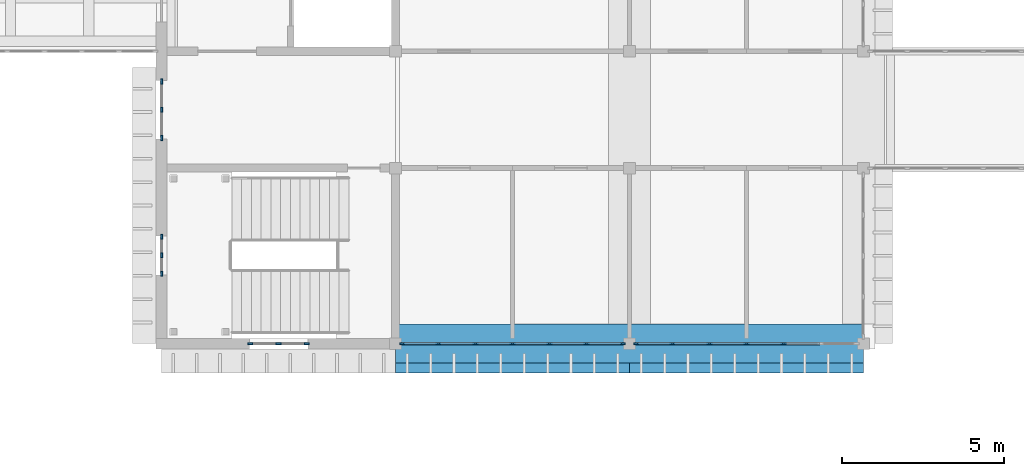
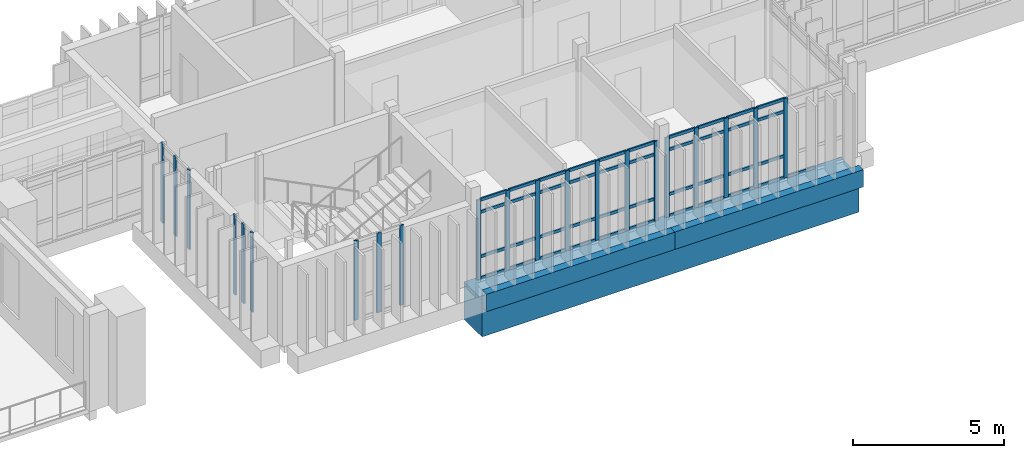
# One storey, part 11 of 69: 64 members, 1 beam, 5 elements without a shape of their own.
"""IFC4 building model written with IfcOpenShell, lengths in metres."""

import ifcopenshell
import ifcopenshell.guid

model = None  # the IFC model being written
_history = None  # IfcOwnerHistory: only IFC2X3 demands one
_inside = {}  # id of a spatial element -> (the spatial element, [elements in it])
_under = {}  # id of a project, library or spatial element -> (it, [spatial elements below it])
_declared = {}  # id of a project -> (the project, [libraries it declares])
_typed = {}  # id of a type object -> (the type object, [elements of that type])
_made_of = {}  # id of a material, layer set ... -> (it, [elements and type objects made of it])


def new_model(schema):
    """Start an empty IFC model of exactly this schema.

    Asked for "IFC4X3", IfcOpenShell would pick the latest addendum, in which some entities
    have other attributes; the version numbers below select the first issue.
    IFC2X3 requires an IfcOwnerHistory on every rooted entity: one is made here for all.
    """
    global model, _history
    if schema == "IFC4X3":
        model = ifcopenshell.file(schema_version=(4, 3, 0, 0))
    else:
        model = ifcopenshell.file(schema=schema)
    _inside.clear()
    _under.clear()
    _declared.clear()
    _typed.clear()
    _made_of.clear()
    _history = None
    if model.schema == "IFC2X3":
        org = make("IfcOrganization", Name="unknown")
        user = make(
            "IfcPersonAndOrganization",
            ThePerson=make("IfcPerson", FamilyName="unknown"),
            TheOrganization=org,
        )
        app = make(
            "IfcApplication",
            ApplicationDeveloper=org,
            Version="unknown",
            ApplicationFullName="unknown",
            ApplicationIdentifier="unknown",
        )
        _history = make(
            "IfcOwnerHistory",
            OwningUser=user,
            OwningApplication=app,
            ChangeAction="ADDED",
            CreationDate=0,
        )
    return model


def make(cls, **values):
    """One entity of the class cls with the attributes given. An attribute that is None is left unset."""
    return model.create_entity(
        cls, **{name: value for name, value in values.items() if value is not None}
    )


def rooted(cls, **values):
    """An entity with a GlobalId (a new one), such as an element, a storey or a relation."""
    return make(cls, GlobalId=ifcopenshell.guid.new(), OwnerHistory=_history, **values)


def si_unit(unit_type, name, prefix=None):
    """IfcSIUnit, for example si_unit("LENGTHUNIT", "METRE", prefix="MILLI")."""
    return make("IfcSIUnit", UnitType=unit_type, Prefix=prefix, Name=name)


def assignment(units):
    """IfcUnitAssignment: the units of a project."""
    return None if units is None else make("IfcUnitAssignment", Units=units)


def point(xyz):
    """IfcCartesianPoint."""
    return None if xyz is None else make("IfcCartesianPoint", Coordinates=xyz)


def direction(xyz):
    """IfcDirection."""
    return None if xyz is None else make("IfcDirection", DirectionRatios=xyz)


def frame(location, z_axis=None, x_axis=None):
    """IfcAxis2Placement3D, a coordinate frame: its origin and axes. An axis left out is left unset."""
    return make(
        "IfcAxis2Placement3D",
        Location=point(location),
        Axis=direction(z_axis),
        RefDirection=direction(x_axis),
    )


def frame_2d(location, x_axis=None):
    """IfcAxis2Placement2D, a coordinate frame in the plane: its origin and x axis."""
    return make(
        "IfcAxis2Placement2D", Location=point(location), RefDirection=direction(x_axis)
    )


def origin():
    """The frame at (0, 0, 0) with its axes left unset."""
    return frame((0.0, 0.0, 0.0))


def origin_2d():
    """The frame at (0, 0) in the plane with its x axis left unset."""
    return frame_2d((0.0, 0.0))


def place(relative_to, where):
    """IfcLocalPlacement: puts the frame where relative to a parent placement (None: the world)."""
    return make(
        "IfcLocalPlacement", PlacementRelTo=relative_to, RelativePlacement=where
    )


def context(
    kind, dimensions, precision=None, world=None, true_north=None, identifier=None
):
    """IfcGeometricRepresentationContext, for example the 3D "Model" context."""
    return make(
        "IfcGeometricRepresentationContext",
        ContextIdentifier=identifier,
        ContextType=kind,
        CoordinateSpaceDimension=dimensions,
        Precision=precision,
        WorldCoordinateSystem=world,
        TrueNorth=true_north,
    )


def subcontext(parent, identifier, kind, view, scale=None):
    """IfcGeometricRepresentationSubContext, for example "Body" below "Model"."""
    return make(
        "IfcGeometricRepresentationSubContext",
        ContextIdentifier=identifier,
        ContextType=kind,
        ParentContext=parent,
        TargetScale=scale,
        TargetView=view,
    )


def project(units=None, contexts=None):
    """IfcProject with its units and contexts."""
    return rooted(
        "IfcProject",
        Name="project",
        RepresentationContexts=contexts,
        UnitsInContext=assignment(units),
    )


def spatial(cls, under=None, at=None, **own):
    """A site, building, storey or space (cls), placed at a placement, below another one or the project."""
    s = rooted(cls, ObjectPlacement=at, **own)
    if under is not None:
        _under.setdefault(under.id(), (under, []))[1].append(s)
    return s


def profile(cls, at=None, kind="AREA", **sizes):
    """A parametric profile (cls). Its sizes go by their IFC names, for example OverallWidth=200.0."""
    return make(cls, ProfileType=kind, Position=at, **sizes)


def rectangle(**sizes):
    """IfcRectangleProfileDef."""
    return profile("IfcRectangleProfileDef", **sizes)


def extrude(swept, where, along, depth):
    """IfcExtrudedAreaSolid: the profile swept, set in the frame where, extruded along a direction by depth."""
    return make(
        "IfcExtrudedAreaSolid",
        SweptArea=swept,
        Position=where,
        ExtrudedDirection=direction(along),
        Depth=depth,
    )


def shape(context_of_items, identifier, shape_type, items):
    """IfcShapeRepresentation: the items that make up one representation, for example the "Body"."""
    return make(
        "IfcShapeRepresentation",
        ContextOfItems=context_of_items,
        RepresentationIdentifier=identifier,
        RepresentationType=shape_type,
        Items=items,
    )


def material(Name=None, Category=None):
    """IfcMaterial."""
    return make("IfcMaterial", Name=Name, Category=Category)


def layer(
    of_material, thickness, ventilated=None, Name=None, Category=None, Priority=None
):
    """IfcMaterialLayer: one layer of a wall or slab, of a material (None: an air gap)."""
    return make(
        "IfcMaterialLayer",
        Material=of_material,
        LayerThickness=thickness,
        IsVentilated=ventilated,
        Name=Name,
        Category=Category,
        Priority=Priority,
    )


def layer_set(layers, Name=None):
    """IfcMaterialLayerSet."""
    return make("IfcMaterialLayerSet", MaterialLayers=layers, LayerSetName=Name)


def material_profile(
    of_material, cross_section, Name=None, Category=None, Priority=None
):
    """IfcMaterialProfile: a cross section and its material."""
    return make(
        "IfcMaterialProfile",
        Name=Name,
        Material=of_material,
        Profile=cross_section,
        Priority=Priority,
        Category=Category,
    )


def profile_set(profiles, Name=None, composite=None):
    """IfcMaterialProfileSet."""
    return make(
        "IfcMaterialProfileSet",
        Name=Name,
        MaterialProfiles=profiles,
        CompositeProfile=composite,
    )


def made_of(thing, what):
    """Note that an element or type object is made of a material, layer set ...; save() writes the relation."""
    if what is not None:
        _made_of.setdefault(what.id(), (what, []))[1].append(thing)
    return thing


def type_object(cls, material=None, **own):
    """A type object (cls), such as IfcWallType, which elements share."""
    return made_of(rooted(cls, **own), material)


def element(
    cls,
    number,
    at=None,
    inside=None,
    cuts=None,
    type_object=None,
    material=None,
    context=None,
    identifier="Body",
    shape_type=None,
    held_by="IfcProductDefinitionShape",
    body=None,
    shapes=None,
    **own,
):
    """One element of the class cls, such as IfcWall. Its Tag is "e" and its number.

    at: its placement. inside: the storey or other place that contains it. cuts: it is an
    opening in that element (IfcRelVoidsElement). A single representation is given by context,
    identifier, shape_type and body (its items); several are given by shapes. held_by: the class
    of the entity that holds the representations. save() writes the other relations.
    """
    e = rooted(cls, Tag="e%d" % number, ObjectPlacement=at, **own)
    if body is not None:
        shapes = [shape(context, identifier, shape_type, body)]
    if shapes is not None:
        e.Representation = make(held_by, Representations=shapes)
    if inside is not None:
        _inside.setdefault(inside.id(), (inside, []))[1].append(e)
    if cuts is not None:
        rooted(
            "IfcRelVoidsElement", RelatingBuildingElement=cuts, RelatedOpeningElement=e
        )
    if type_object is not None:
        _typed.setdefault(type_object.id(), (type_object, []))[1].append(e)
    return made_of(e, material)


def aggregate(whole, parts):
    """IfcRelAggregates: a whole, such as a stair, and the parts it consists of."""
    return rooted("IfcRelAggregates", RelatingObject=whole, RelatedObjects=parts)


def save(model, path):
    """Write the relations noted so far, then the file.

    IfcRelAggregates (storeys below a building ...), IfcRelContainedInSpatialStructure (elements
    in a storey), IfcRelDefinesByType, IfcRelAssociatesMaterial and IfcRelDeclares: one each for
    every whole, place, type object, material and project.
    """
    for whole, parts in _under.values():
        aggregate(whole, parts)
    for where, things in _inside.values():
        rooted(
            "IfcRelContainedInSpatialStructure",
            RelatedElements=things,
            RelatingStructure=where,
        )
    for kind, things in _typed.values():
        rooted("IfcRelDefinesByType", RelatedObjects=things, RelatingType=kind)
    for what, things in _made_of.values():
        rooted("IfcRelAssociatesMaterial", RelatedObjects=things, RelatingMaterial=what)
    for by, libraries in _declared.values():
        rooted("IfcRelDeclares", RelatingContext=by, RelatedDefinitions=libraries)
    model.write(path)


model = new_model("IFC4")

# Units and contexts
model_context = context("Model", 3, precision=1e-05, world=origin(), true_north=direction((0.0, 1.0)))
body_context = subcontext(model_context, "Body", "Model", "MODEL_VIEW")
ifc_project = project(units=[si_unit("LENGTHUNIT", "METRE"), si_unit("AREAUNIT", "SQUARE_METRE"), si_unit("VOLUMEUNIT", "CUBIC_METRE"), si_unit("PLANEANGLEUNIT", "RADIAN"), si_unit("MASSUNIT", "GRAM", prefix="KILO")], contexts=[model_context])

# Site, building, storey
site_placement = place(None, origin())
site = spatial("IfcSite", under=ifc_project, at=site_placement, CompositionType="ELEMENT")
building_placement = place(site_placement, origin())
building = spatial("IfcBuilding", under=site, at=building_placement, Name="Mazhai Court Health Centre", CompositionType="ELEMENT")
storey_placement = place(building_placement, frame((0.0, 0.0, 6.300048828125)))
storey = spatial("IfcBuildingStorey", under=building, at=storey_placement, Name="L01", CompositionType="ELEMENT", Elevation=6.300048828125)

# Curtain wall, members
ifc_material_1 = material(Name="Teak timber frame, glazed", Category="wood")
ifc_layer_1 = layer(ifc_material_1, 0.10009765625)
ifc_layer_set_1 = layer_set([ifc_layer_1], Name="CURTAIN WALL TIMBER 900")
curtain_wall_type_1 = type_object("IfcCurtainWallType", Name="CURTAIN WALL TIMBER 900", PredefinedType="NOTDEFINED", material=ifc_layer_set_1)
curtain_wall_1_placement = place(storey_placement, origin())
curtain_wall_1 = element("IfcCurtainWall", 1, at=curtain_wall_1_placement, inside=storey, type_object=curtain_wall_type_1, Name="CW-V4-L01-A0", PredefinedType="NOTDEFINED")
ifc_material_2 = material(Name="Teak timber", Category="wood")
ifc_material_profile_1 = material_profile(ifc_material_2, rectangle(XDim=0.06005859375, YDim=0.159912109375, at=origin_2d()), Name="CW MULLION 60x160")
ifc_profile_set_1 = profile_set([ifc_material_profile_1], Name="Teak timber")
member_type_1 = type_object("IfcMemberType", Name="CW MULLION 60x160", PredefinedType="MULLION", material=ifc_profile_set_1)
member_1_placement = place(storey_placement, frame((75.469970703125, 13.39990234375, 0.0), z_axis=(0.0, 0.0, 1.0), x_axis=(0.0, -1.0, 0.0)))
member_1 = element("IfcMember", 2, at=member_1_placement, type_object=member_type_1, Name="CW mullion 1", PredefinedType="MULLION", context=body_context, shape_type="SweptSolid", body=[
    extrude(rectangle(XDim=0.06005859375, YDim=0.159912109375, at=origin_2d()), origin(), (0.0, 0.0, 1.0), 3.219970703125),
])
member_2_placement = place(storey_placement, frame((74.60009765625, 13.39990234375, 0.0), z_axis=(0.0, 0.0, 1.0), x_axis=(0.0, -1.0, 0.0)))
member_2 = element("IfcMember", 3, at=member_2_placement, type_object=member_type_1, Name="CW mullion 2", PredefinedType="MULLION", context=body_context, shape_type="SweptSolid", body=[
    extrude(rectangle(XDim=0.06005859375, YDim=0.159912109375, at=origin_2d()), origin(), (0.0, 0.0, 1.0), 3.219970703125),
])
member_3_placement = place(storey_placement, frame((73.72998046875, 13.39990234375, 0.0), z_axis=(0.0, 0.0, 1.0), x_axis=(0.0, -1.0, 0.0)))
member_3 = element("IfcMember", 4, at=member_3_placement, type_object=member_type_1, Name="CW mullion 3", PredefinedType="MULLION", context=body_context, shape_type="SweptSolid", body=[
    extrude(rectangle(XDim=0.06005859375, YDim=0.159912109375, at=origin_2d()), origin(), (0.0, 0.0, 1.0), 3.219970703125),
])
aggregate(curtain_wall_1, [member_1, member_2, member_3])

ifc_material_3 = material(Name="Teak timber frame, glazed", Category="wood")
ifc_layer_2 = layer(ifc_material_3, 0.10009765625)
ifc_layer_set_2 = layer_set([ifc_layer_2], Name="CURTAIN WALL TIMBER 600")
curtain_wall_type_2 = type_object("IfcCurtainWallType", Name="CURTAIN WALL TIMBER 600", PredefinedType="NOTDEFINED", material=ifc_layer_set_2)
curtain_wall_2_placement = place(storey_placement, origin())
curtain_wall_2 = element("IfcCurtainWall", 5, at=curtain_wall_2_placement, inside=storey, type_object=curtain_wall_type_2, Name="CW-V4-L01-SSTAIR0", PredefinedType="NOTDEFINED")
member_4_placement = place(storey_placement, frame((71.0, 15.550048828125, 0.0), z_axis=(0.0, 0.0, 1.0), x_axis=(-1.0, 0.0, 0.0)))
member_4 = element("IfcMember", 6, at=member_4_placement, type_object=member_type_1, Name="CW mullion 1", PredefinedType="MULLION", context=body_context, shape_type="SweptSolid", body=[
    extrude(rectangle(XDim=0.06005859375, YDim=0.159912109375, at=origin_2d()), origin(), (0.0, 0.0, 1.0), 3.199951171875),
])
member_5_placement = place(storey_placement, frame((71.0, 16.1201171875, 0.0), z_axis=(0.0, 0.0, 1.0), x_axis=(-1.0, 0.0, 0.0)))
member_5 = element("IfcMember", 7, at=member_5_placement, type_object=member_type_1, Name="CW mullion 2", PredefinedType="MULLION", context=body_context, shape_type="SweptSolid", body=[
    extrude(rectangle(XDim=0.06005859375, YDim=0.159912109375, at=origin_2d()), origin(), (0.0, 0.0, 1.0), 3.199951171875),
])
member_6_placement = place(storey_placement, frame((71.0, 16.68994140625, 0.0), z_axis=(0.0, 0.0, 1.0), x_axis=(-1.0, 0.0, 0.0)))
member_6 = element("IfcMember", 8, at=member_6_placement, type_object=member_type_1, Name="CW mullion 3", PredefinedType="MULLION", context=body_context, shape_type="SweptSolid", body=[
    extrude(rectangle(XDim=0.06005859375, YDim=0.159912109375, at=origin_2d()), origin(), (0.0, 0.0, 1.0), 3.199951171875),
])
aggregate(curtain_wall_2, [member_4, member_5, member_6])

curtain_wall_3_placement = place(storey_placement, origin())
curtain_wall_3 = element("IfcCurtainWall", 9, at=curtain_wall_3_placement, inside=storey, type_object=curtain_wall_type_1, Name="CW-V4-L01-SLIFT1", PredefinedType="NOTDEFINED")
member_7_placement = place(storey_placement, frame((71.0, 19.72998046875, 0.0), z_axis=(0.0, 0.0, 1.0), x_axis=(-1.0, 0.0, 0.0)))
member_7 = element("IfcMember", 10, at=member_7_placement, type_object=member_type_1, Name="CW mullion 1", PredefinedType="MULLION", context=body_context, shape_type="SweptSolid", body=[
    extrude(rectangle(XDim=0.06005859375, YDim=0.159912109375, at=origin_2d()), origin(), (0.0, 0.0, 1.0), 3.199951171875),
])
member_8_placement = place(storey_placement, frame((71.0, 20.60009765625, 0.0), z_axis=(0.0, 0.0, 1.0), x_axis=(-1.0, 0.0, 0.0)))
member_8 = element("IfcMember", 11, at=member_8_placement, type_object=member_type_1, Name="CW mullion 2", PredefinedType="MULLION", context=body_context, shape_type="SweptSolid", body=[
    extrude(rectangle(XDim=0.06005859375, YDim=0.159912109375, at=origin_2d()), origin(), (0.0, 0.0, 1.0), 3.199951171875),
])
member_9_placement = place(storey_placement, frame((71.0, 21.469970703125, 0.0), z_axis=(0.0, 0.0, 1.0), x_axis=(-1.0, 0.0, 0.0)))
member_9 = element("IfcMember", 12, at=member_9_placement, type_object=member_type_1, Name="CW mullion 3", PredefinedType="MULLION", context=body_context, shape_type="SweptSolid", body=[
    extrude(rectangle(XDim=0.06005859375, YDim=0.159912109375, at=origin_2d()), origin(), (0.0, 0.0, 1.0), 3.199951171875),
])
aggregate(curtain_wall_3, [member_7, member_8, member_9])

ifc_material_4 = material(Name="Teak timber frame, glazed", Category="wood")
ifc_layer_3 = layer(ifc_material_4, 0.10009765625)
ifc_layer_set_3 = layer_set([ifc_layer_3], Name="CURTAIN WALL TIMBER 1200")
curtain_wall_type_3 = type_object("IfcCurtainWallType", Name="CURTAIN WALL TIMBER 1200", PredefinedType="NOTDEFINED", material=ifc_layer_set_3)
curtain_wall_4_placement = place(storey_placement, origin())
curtain_wall_4 = element("IfcCurtainWall", 13, at=curtain_wall_4_placement, inside=storey, type_object=curtain_wall_type_3, Name="CW-V4-L01-A1", PredefinedType="NOTDEFINED")
member_10_placement = place(storey_placement, frame((85.18994140625, 13.39990234375, 0.0), z_axis=(0.0, 0.0, 1.0), x_axis=(0.0, -1.0, 0.0)))
member_10 = element("IfcMember", 14, at=member_10_placement, type_object=member_type_1, Name="CW mullion 1", PredefinedType="MULLION", context=body_context, shape_type="SweptSolid", body=[
    extrude(rectangle(XDim=0.06005859375, YDim=0.159912109375, at=origin_2d()), origin(), (0.0, 0.0, 1.0), 3.219970703125),
])
member_11_placement = place(storey_placement, frame((84.080078125, 13.39990234375, 0.0), z_axis=(0.0, 0.0, 1.0), x_axis=(0.0, -1.0, 0.0)))
member_11 = element("IfcMember", 15, at=member_11_placement, type_object=member_type_1, Name="CW mullion 2", PredefinedType="MULLION", context=body_context, shape_type="SweptSolid", body=[
    extrude(rectangle(XDim=0.06005859375, YDim=0.159912109375, at=origin_2d()), origin(), (0.0, 0.0, 1.0), 3.219970703125),
])
member_12_placement = place(storey_placement, frame((82.93994140625, 13.39990234375, 0.0), z_axis=(0.0, 0.0, 1.0), x_axis=(0.0, -1.0, 0.0)))
member_12 = element("IfcMember", 16, at=member_12_placement, type_object=member_type_1, Name="CW mullion 3", PredefinedType="MULLION", context=body_context, shape_type="SweptSolid", body=[
    extrude(rectangle(XDim=0.06005859375, YDim=0.159912109375, at=origin_2d()), origin(), (0.0, 0.0, 1.0), 3.219970703125),
])
member_13_placement = place(storey_placement, frame((81.800048828125, 13.39990234375, 0.0), z_axis=(0.0, 0.0, 1.0), x_axis=(0.0, -1.0, 0.0)))
member_13 = element("IfcMember", 17, at=member_13_placement, type_object=member_type_1, Name="CW mullion 4", PredefinedType="MULLION", context=body_context, shape_type="SweptSolid", body=[
    extrude(rectangle(XDim=0.06005859375, YDim=0.159912109375, at=origin_2d()), origin(), (0.0, 0.0, 1.0), 3.219970703125),
])
member_14_placement = place(storey_placement, frame((80.659912109375, 13.39990234375, 0.0), z_axis=(0.0, 0.0, 1.0), x_axis=(0.0, -1.0, 0.0)))
member_14 = element("IfcMember", 18, at=member_14_placement, type_object=member_type_1, Name="CW mullion 5", PredefinedType="MULLION", context=body_context, shape_type="SweptSolid", body=[
    extrude(rectangle(XDim=0.06005859375, YDim=0.159912109375, at=origin_2d()), origin(), (0.0, 0.0, 1.0), 3.219970703125),
])
member_15_placement = place(storey_placement, frame((79.52001953125, 13.39990234375, 0.0), z_axis=(0.0, 0.0, 1.0), x_axis=(0.0, -1.0, 0.0)))
member_15 = element("IfcMember", 19, at=member_15_placement, type_object=member_type_1, Name="CW mullion 6", PredefinedType="MULLION", context=body_context, shape_type="SweptSolid", body=[
    extrude(rectangle(XDim=0.06005859375, YDim=0.159912109375, at=origin_2d()), origin(), (0.0, 0.0, 1.0), 3.219970703125),
])
member_16_placement = place(storey_placement, frame((78.409912109375, 13.39990234375, 0.0), z_axis=(0.0, 0.0, 1.0), x_axis=(0.0, -1.0, 0.0)))
member_16 = element("IfcMember", 20, at=member_16_placement, type_object=member_type_1, Name="CW mullion 7", PredefinedType="MULLION", context=body_context, shape_type="SweptSolid", body=[
    extrude(rectangle(XDim=0.06005859375, YDim=0.159912109375, at=origin_2d()), origin(), (0.0, 0.0, 1.0), 3.219970703125),
])

curtain_wall_5_placement = place(storey_placement, origin())
curtain_wall_5 = element("IfcCurtainWall", 21, at=curtain_wall_5_placement, inside=storey, type_object=curtain_wall_type_3, Name="CW-V4-L01-A2", PredefinedType="NOTDEFINED")
member_17_placement = place(storey_placement, frame((90.139892578125, 13.39990234375, 0.0), z_axis=(0.0, 0.0, 1.0), x_axis=(0.0, -1.0, 0.0)))
member_17 = element("IfcMember", 22, at=member_17_placement, type_object=member_type_1, Name="CW mullion 3", PredefinedType="MULLION", context=body_context, shape_type="SweptSolid", body=[
    extrude(rectangle(XDim=0.06005859375, YDim=0.159912109375, at=origin_2d()), origin(), (0.0, 0.0, 1.0), 3.219970703125),
])
member_18_placement = place(storey_placement, frame((89.0, 13.39990234375, 0.0), z_axis=(0.0, 0.0, 1.0), x_axis=(0.0, -1.0, 0.0)))
member_18 = element("IfcMember", 23, at=member_18_placement, type_object=member_type_1, Name="CW mullion 4", PredefinedType="MULLION", context=body_context, shape_type="SweptSolid", body=[
    extrude(rectangle(XDim=0.06005859375, YDim=0.159912109375, at=origin_2d()), origin(), (0.0, 0.0, 1.0), 3.219970703125),
])
member_19_placement = place(storey_placement, frame((87.860107421875, 13.39990234375, 0.0), z_axis=(0.0, 0.0, 1.0), x_axis=(0.0, -1.0, 0.0)))
member_19 = element("IfcMember", 24, at=member_19_placement, type_object=member_type_1, Name="CW mullion 5", PredefinedType="MULLION", context=body_context, shape_type="SweptSolid", body=[
    extrude(rectangle(XDim=0.06005859375, YDim=0.159912109375, at=origin_2d()), origin(), (0.0, 0.0, 1.0), 3.219970703125),
])
member_20_placement = place(storey_placement, frame((86.719970703125, 13.39990234375, 0.0), z_axis=(0.0, 0.0, 1.0), x_axis=(0.0, -1.0, 0.0)))
member_20 = element("IfcMember", 25, at=member_20_placement, type_object=member_type_1, Name="CW mullion 6", PredefinedType="MULLION", context=body_context, shape_type="SweptSolid", body=[
    extrude(rectangle(XDim=0.06005859375, YDim=0.159912109375, at=origin_2d()), origin(), (0.0, 0.0, 1.0), 3.219970703125),
])
member_21_placement = place(storey_placement, frame((85.610107421875, 13.39990234375, 0.0), z_axis=(0.0, 0.0, 1.0), x_axis=(0.0, -1.0, 0.0)))
member_21 = element("IfcMember", 26, at=member_21_placement, type_object=member_type_1, Name="CW mullion 7", PredefinedType="MULLION", context=body_context, shape_type="SweptSolid", body=[
    extrude(rectangle(XDim=0.06005859375, YDim=0.159912109375, at=origin_2d()), origin(), (0.0, 0.0, 1.0), 3.219970703125),
])

# Member
ifc_material_5 = material(Name="Teak timber", Category="wood")
ifc_material_profile_2 = material_profile(ifc_material_5, rectangle(XDim=0.06005859375, YDim=0.1201171875, at=origin_2d()), Name="CW TRANSOM 60x120")
ifc_profile_set_2 = profile_set([ifc_material_profile_2], Name="Teak timber")
member_type_2 = type_object("IfcMemberType", Name="CW TRANSOM 60x120", PredefinedType="USERDEFINED", material=ifc_profile_set_2)
member_22_placement = place(storey_placement, frame((85.159912109375, 13.39990234375, 0.030029296875), z_axis=(-1.0, 0.0, 0.0), x_axis=(0.0, -1.0, 0.0)))
member_22 = element("IfcMember", 27, at=member_22_placement, type_object=member_type_2, Name="CW transom 1.1", ObjectType="TRANSOM", PredefinedType="USERDEFINED", context=body_context, shape_type="SweptSolid", body=[
    extrude(rectangle(XDim=0.06005859375, YDim=0.1201171875, at=origin_2d()), origin(), (0.0, 0.0, 1.0), 1.0498046875),
])

member_23_placement = place(storey_placement, frame((85.159912109375, 13.39990234375, 0.89990234375), z_axis=(-1.0, 0.0, 0.0), x_axis=(0.0, -1.0, 0.0)))
member_23 = element("IfcMember", 28, at=member_23_placement, type_object=member_type_2, Name="CW transom 1.2", ObjectType="TRANSOM", PredefinedType="USERDEFINED", context=body_context, shape_type="SweptSolid", body=[
    extrude(rectangle(XDim=0.06005859375, YDim=0.1201171875, at=origin_2d()), origin(), (0.0, 0.0, 1.0), 1.0498046875),
])

member_24_placement = place(storey_placement, frame((85.159912109375, 13.39990234375, 2.699951171875), z_axis=(-1.0, 0.0, 0.0), x_axis=(0.0, -1.0, 0.0)))
member_24 = element("IfcMember", 29, at=member_24_placement, type_object=member_type_2, Name="CW transom 1.3", ObjectType="TRANSOM", PredefinedType="USERDEFINED", context=body_context, shape_type="SweptSolid", body=[
    extrude(rectangle(XDim=0.06005859375, YDim=0.1201171875, at=origin_2d()), origin(), (0.0, 0.0, 1.0), 1.0498046875),
])

member_25_placement = place(storey_placement, frame((85.159912109375, 13.39990234375, 3.18994140625), z_axis=(-1.0, 0.0, 0.0), x_axis=(0.0, -1.0, 0.0)))
member_25 = element("IfcMember", 30, at=member_25_placement, type_object=member_type_2, Name="CW transom 1.4", ObjectType="TRANSOM", PredefinedType="USERDEFINED", context=body_context, shape_type="SweptSolid", body=[
    extrude(rectangle(XDim=0.06005859375, YDim=0.1201171875, at=origin_2d()), origin(), (0.0, 0.0, 1.0), 1.0498046875),
])

member_26_placement = place(storey_placement, frame((84.050048828125, 13.39990234375, 0.030029296875), z_axis=(-1.0, 0.0, 0.0), x_axis=(0.0, -1.0, 0.0)))
member_26 = element("IfcMember", 31, at=member_26_placement, type_object=member_type_2, Name="CW transom 2.1", ObjectType="TRANSOM", PredefinedType="USERDEFINED", context=body_context, shape_type="SweptSolid", body=[
    extrude(rectangle(XDim=0.06005859375, YDim=0.1201171875, at=origin_2d()), origin(), (0.0, 0.0, 1.0), 1.080078125),
])

member_27_placement = place(storey_placement, frame((84.050048828125, 13.39990234375, 0.89990234375), z_axis=(-1.0, 0.0, 0.0), x_axis=(0.0, -1.0, 0.0)))
member_27 = element("IfcMember", 32, at=member_27_placement, type_object=member_type_2, Name="CW transom 2.2", ObjectType="TRANSOM", PredefinedType="USERDEFINED", context=body_context, shape_type="SweptSolid", body=[
    extrude(rectangle(XDim=0.06005859375, YDim=0.1201171875, at=origin_2d()), origin(), (0.0, 0.0, 1.0), 1.080078125),
])

member_28_placement = place(storey_placement, frame((84.050048828125, 13.39990234375, 2.699951171875), z_axis=(-1.0, 0.0, 0.0), x_axis=(0.0, -1.0, 0.0)))
member_28 = element("IfcMember", 33, at=member_28_placement, type_object=member_type_2, Name="CW transom 2.3", ObjectType="TRANSOM", PredefinedType="USERDEFINED", context=body_context, shape_type="SweptSolid", body=[
    extrude(rectangle(XDim=0.06005859375, YDim=0.1201171875, at=origin_2d()), origin(), (0.0, 0.0, 1.0), 1.080078125),
])

member_29_placement = place(storey_placement, frame((84.050048828125, 13.39990234375, 3.18994140625), z_axis=(-1.0, 0.0, 0.0), x_axis=(0.0, -1.0, 0.0)))
member_29 = element("IfcMember", 34, at=member_29_placement, type_object=member_type_2, Name="CW transom 2.4", ObjectType="TRANSOM", PredefinedType="USERDEFINED", context=body_context, shape_type="SweptSolid", body=[
    extrude(rectangle(XDim=0.06005859375, YDim=0.1201171875, at=origin_2d()), origin(), (0.0, 0.0, 1.0), 1.080078125),
])

member_30_placement = place(storey_placement, frame((82.909912109375, 13.39990234375, 0.030029296875), z_axis=(-1.0, 0.0, 0.0), x_axis=(0.0, -1.0, 0.0)))
member_30 = element("IfcMember", 35, at=member_30_placement, type_object=member_type_2, Name="CW transom 3.1", ObjectType="TRANSOM", PredefinedType="USERDEFINED", context=body_context, shape_type="SweptSolid", body=[
    extrude(rectangle(XDim=0.06005859375, YDim=0.1201171875, at=origin_2d()), origin(), (0.0, 0.0, 1.0), 1.079833984375),
])

member_31_placement = place(storey_placement, frame((82.909912109375, 13.39990234375, 0.89990234375), z_axis=(-1.0, 0.0, 0.0), x_axis=(0.0, -1.0, 0.0)))
member_31 = element("IfcMember", 36, at=member_31_placement, type_object=member_type_2, Name="CW transom 3.2", ObjectType="TRANSOM", PredefinedType="USERDEFINED", context=body_context, shape_type="SweptSolid", body=[
    extrude(rectangle(XDim=0.06005859375, YDim=0.1201171875, at=origin_2d()), origin(), (0.0, 0.0, 1.0), 1.079833984375),
])

member_32_placement = place(storey_placement, frame((82.909912109375, 13.39990234375, 2.699951171875), z_axis=(-1.0, 0.0, 0.0), x_axis=(0.0, -1.0, 0.0)))
member_32 = element("IfcMember", 37, at=member_32_placement, type_object=member_type_2, Name="CW transom 3.3", ObjectType="TRANSOM", PredefinedType="USERDEFINED", context=body_context, shape_type="SweptSolid", body=[
    extrude(rectangle(XDim=0.06005859375, YDim=0.1201171875, at=origin_2d()), origin(), (0.0, 0.0, 1.0), 1.079833984375),
])

member_33_placement = place(storey_placement, frame((82.909912109375, 13.39990234375, 3.18994140625), z_axis=(-1.0, 0.0, 0.0), x_axis=(0.0, -1.0, 0.0)))
member_33 = element("IfcMember", 38, at=member_33_placement, type_object=member_type_2, Name="CW transom 3.4", ObjectType="TRANSOM", PredefinedType="USERDEFINED", context=body_context, shape_type="SweptSolid", body=[
    extrude(rectangle(XDim=0.06005859375, YDim=0.1201171875, at=origin_2d()), origin(), (0.0, 0.0, 1.0), 1.079833984375),
])

member_34_placement = place(storey_placement, frame((81.77001953125, 13.39990234375, 0.030029296875), z_axis=(-1.0, 0.0, 0.0), x_axis=(0.0, -1.0, 0.0)))
member_34 = element("IfcMember", 39, at=member_34_placement, type_object=member_type_2, Name="CW transom 4.1", ObjectType="TRANSOM", PredefinedType="USERDEFINED", context=body_context, shape_type="SweptSolid", body=[
    extrude(rectangle(XDim=0.06005859375, YDim=0.1201171875, at=origin_2d()), origin(), (0.0, 0.0, 1.0), 1.080078125),
])

member_35_placement = place(storey_placement, frame((81.77001953125, 13.39990234375, 0.89990234375), z_axis=(-1.0, 0.0, 0.0), x_axis=(0.0, -1.0, 0.0)))
member_35 = element("IfcMember", 40, at=member_35_placement, type_object=member_type_2, Name="CW transom 4.2", ObjectType="TRANSOM", PredefinedType="USERDEFINED", context=body_context, shape_type="SweptSolid", body=[
    extrude(rectangle(XDim=0.06005859375, YDim=0.1201171875, at=origin_2d()), origin(), (0.0, 0.0, 1.0), 1.080078125),
])

member_36_placement = place(storey_placement, frame((81.77001953125, 13.39990234375, 2.699951171875), z_axis=(-1.0, 0.0, 0.0), x_axis=(0.0, -1.0, 0.0)))
member_36 = element("IfcMember", 41, at=member_36_placement, type_object=member_type_2, Name="CW transom 4.3", ObjectType="TRANSOM", PredefinedType="USERDEFINED", context=body_context, shape_type="SweptSolid", body=[
    extrude(rectangle(XDim=0.06005859375, YDim=0.1201171875, at=origin_2d()), origin(), (0.0, 0.0, 1.0), 1.080078125),
])

member_37_placement = place(storey_placement, frame((81.77001953125, 13.39990234375, 3.18994140625), z_axis=(-1.0, 0.0, 0.0), x_axis=(0.0, -1.0, 0.0)))
member_37 = element("IfcMember", 42, at=member_37_placement, type_object=member_type_2, Name="CW transom 4.4", ObjectType="TRANSOM", PredefinedType="USERDEFINED", context=body_context, shape_type="SweptSolid", body=[
    extrude(rectangle(XDim=0.06005859375, YDim=0.1201171875, at=origin_2d()), origin(), (0.0, 0.0, 1.0), 1.080078125),
])

member_38_placement = place(storey_placement, frame((80.6298828125, 13.39990234375, 0.030029296875), z_axis=(-1.0, 0.0, 0.0), x_axis=(0.0, -1.0, 0.0)))
member_38 = element("IfcMember", 43, at=member_38_placement, type_object=member_type_2, Name="CW transom 5.1", ObjectType="TRANSOM", PredefinedType="USERDEFINED", context=body_context, shape_type="SweptSolid", body=[
    extrude(rectangle(XDim=0.06005859375, YDim=0.1201171875, at=origin_2d()), origin(), (0.0, 0.0, 1.0), 1.079833984375),
])

member_39_placement = place(storey_placement, frame((80.6298828125, 13.39990234375, 0.89990234375), z_axis=(-1.0, 0.0, 0.0), x_axis=(0.0, -1.0, 0.0)))
member_39 = element("IfcMember", 44, at=member_39_placement, type_object=member_type_2, Name="CW transom 5.2", ObjectType="TRANSOM", PredefinedType="USERDEFINED", context=body_context, shape_type="SweptSolid", body=[
    extrude(rectangle(XDim=0.06005859375, YDim=0.1201171875, at=origin_2d()), origin(), (0.0, 0.0, 1.0), 1.079833984375),
])

member_40_placement = place(storey_placement, frame((80.6298828125, 13.39990234375, 2.699951171875), z_axis=(-1.0, 0.0, 0.0), x_axis=(0.0, -1.0, 0.0)))
member_40 = element("IfcMember", 45, at=member_40_placement, type_object=member_type_2, Name="CW transom 5.3", ObjectType="TRANSOM", PredefinedType="USERDEFINED", context=body_context, shape_type="SweptSolid", body=[
    extrude(rectangle(XDim=0.06005859375, YDim=0.1201171875, at=origin_2d()), origin(), (0.0, 0.0, 1.0), 1.079833984375),
])

member_41_placement = place(storey_placement, frame((80.6298828125, 13.39990234375, 3.18994140625), z_axis=(-1.0, 0.0, 0.0), x_axis=(0.0, -1.0, 0.0)))
member_41 = element("IfcMember", 46, at=member_41_placement, type_object=member_type_2, Name="CW transom 5.4", ObjectType="TRANSOM", PredefinedType="USERDEFINED", context=body_context, shape_type="SweptSolid", body=[
    extrude(rectangle(XDim=0.06005859375, YDim=0.1201171875, at=origin_2d()), origin(), (0.0, 0.0, 1.0), 1.079833984375),
])

member_42_placement = place(storey_placement, frame((79.489990234375, 13.39990234375, 0.030029296875), z_axis=(-1.0, 0.0, 0.0), x_axis=(0.0, -1.0, 0.0)))
member_42 = element("IfcMember", 47, at=member_42_placement, type_object=member_type_2, Name="CW transom 6.1", ObjectType="TRANSOM", PredefinedType="USERDEFINED", context=body_context, shape_type="SweptSolid", body=[
    extrude(rectangle(XDim=0.06005859375, YDim=0.1201171875, at=origin_2d()), origin(), (0.0, 0.0, 1.0), 1.050048828125),
])

member_43_placement = place(storey_placement, frame((79.489990234375, 13.39990234375, 0.89990234375), z_axis=(-1.0, 0.0, 0.0), x_axis=(0.0, -1.0, 0.0)))
member_43 = element("IfcMember", 48, at=member_43_placement, type_object=member_type_2, Name="CW transom 6.2", ObjectType="TRANSOM", PredefinedType="USERDEFINED", context=body_context, shape_type="SweptSolid", body=[
    extrude(rectangle(XDim=0.06005859375, YDim=0.1201171875, at=origin_2d()), origin(), (0.0, 0.0, 1.0), 1.050048828125),
])

member_44_placement = place(storey_placement, frame((79.489990234375, 13.39990234375, 2.699951171875), z_axis=(-1.0, 0.0, 0.0), x_axis=(0.0, -1.0, 0.0)))
member_44 = element("IfcMember", 49, at=member_44_placement, type_object=member_type_2, Name="CW transom 6.3", ObjectType="TRANSOM", PredefinedType="USERDEFINED", context=body_context, shape_type="SweptSolid", body=[
    extrude(rectangle(XDim=0.06005859375, YDim=0.1201171875, at=origin_2d()), origin(), (0.0, 0.0, 1.0), 1.050048828125),
])

member_45_placement = place(storey_placement, frame((79.489990234375, 13.39990234375, 3.18994140625), z_axis=(-1.0, 0.0, 0.0), x_axis=(0.0, -1.0, 0.0)))
member_45 = element("IfcMember", 50, at=member_45_placement, type_object=member_type_2, Name="CW transom 6.4", ObjectType="TRANSOM", PredefinedType="USERDEFINED", context=body_context, shape_type="SweptSolid", body=[
    extrude(rectangle(XDim=0.06005859375, YDim=0.1201171875, at=origin_2d()), origin(), (0.0, 0.0, 1.0), 1.050048828125),
])

aggregate(curtain_wall_4, [member_10, member_11, member_12, member_13, member_14, member_15, member_16, member_22, member_23, member_24, member_25, member_26, member_27, member_28, member_29, member_30, member_31, member_32, member_33, member_34, member_35, member_36, member_37, member_38, member_39, member_40, member_41, member_42, member_43, member_44, member_45])

member_46_placement = place(storey_placement, frame((91.25, 13.39990234375, 0.030029296875), z_axis=(-1.0, 0.0, 0.0), x_axis=(0.0, -1.0, 0.0)))
member_46 = element("IfcMember", 51, at=member_46_placement, type_object=member_type_2, Name="CW transom 2.1", ObjectType="TRANSOM", PredefinedType="USERDEFINED", context=body_context, shape_type="SweptSolid", body=[
    extrude(rectangle(XDim=0.06005859375, YDim=0.1201171875, at=origin_2d()), origin(), (0.0, 0.0, 1.0), 1.080078125),
])

member_47_placement = place(storey_placement, frame((90.110107421875, 13.39990234375, 0.030029296875), z_axis=(-1.0, 0.0, 0.0), x_axis=(0.0, -1.0, 0.0)))
member_47 = element("IfcMember", 52, at=member_47_placement, type_object=member_type_2, Name="CW transom 3.1", ObjectType="TRANSOM", PredefinedType="USERDEFINED", context=body_context, shape_type="SweptSolid", body=[
    extrude(rectangle(XDim=0.06005859375, YDim=0.1201171875, at=origin_2d()), origin(), (0.0, 0.0, 1.0), 1.080078125),
])

member_48_placement = place(storey_placement, frame((90.110107421875, 13.39990234375, 0.89990234375), z_axis=(-1.0, 0.0, 0.0), x_axis=(0.0, -1.0, 0.0)))
member_48 = element("IfcMember", 53, at=member_48_placement, type_object=member_type_2, Name="CW transom 3.2", ObjectType="TRANSOM", PredefinedType="USERDEFINED", context=body_context, shape_type="SweptSolid", body=[
    extrude(rectangle(XDim=0.06005859375, YDim=0.1201171875, at=origin_2d()), origin(), (0.0, 0.0, 1.0), 1.080078125),
])

member_49_placement = place(storey_placement, frame((90.110107421875, 13.39990234375, 2.699951171875), z_axis=(-1.0, 0.0, 0.0), x_axis=(0.0, -1.0, 0.0)))
member_49 = element("IfcMember", 54, at=member_49_placement, type_object=member_type_2, Name="CW transom 3.3", ObjectType="TRANSOM", PredefinedType="USERDEFINED", context=body_context, shape_type="SweptSolid", body=[
    extrude(rectangle(XDim=0.06005859375, YDim=0.1201171875, at=origin_2d()), origin(), (0.0, 0.0, 1.0), 1.080078125),
])

member_50_placement = place(storey_placement, frame((90.110107421875, 13.39990234375, 3.18994140625), z_axis=(-1.0, 0.0, 0.0), x_axis=(0.0, -1.0, 0.0)))
member_50 = element("IfcMember", 55, at=member_50_placement, type_object=member_type_2, Name="CW transom 3.4", ObjectType="TRANSOM", PredefinedType="USERDEFINED", context=body_context, shape_type="SweptSolid", body=[
    extrude(rectangle(XDim=0.06005859375, YDim=0.1201171875, at=origin_2d()), origin(), (0.0, 0.0, 1.0), 1.080078125),
])

member_51_placement = place(storey_placement, frame((88.969970703125, 13.39990234375, 0.030029296875), z_axis=(-1.0, 0.0, 0.0), x_axis=(0.0, -1.0, 0.0)))
member_51 = element("IfcMember", 56, at=member_51_placement, type_object=member_type_2, Name="CW transom 4.1", ObjectType="TRANSOM", PredefinedType="USERDEFINED", context=body_context, shape_type="SweptSolid", body=[
    extrude(rectangle(XDim=0.06005859375, YDim=0.1201171875, at=origin_2d()), origin(), (0.0, 0.0, 1.0), 1.080078125),
])

member_52_placement = place(storey_placement, frame((88.969970703125, 13.39990234375, 0.89990234375), z_axis=(-1.0, 0.0, 0.0), x_axis=(0.0, -1.0, 0.0)))
member_52 = element("IfcMember", 57, at=member_52_placement, type_object=member_type_2, Name="CW transom 4.2", ObjectType="TRANSOM", PredefinedType="USERDEFINED", context=body_context, shape_type="SweptSolid", body=[
    extrude(rectangle(XDim=0.06005859375, YDim=0.1201171875, at=origin_2d()), origin(), (0.0, 0.0, 1.0), 1.080078125),
])

member_53_placement = place(storey_placement, frame((88.969970703125, 13.39990234375, 2.699951171875), z_axis=(-1.0, 0.0, 0.0), x_axis=(0.0, -1.0, 0.0)))
member_53 = element("IfcMember", 58, at=member_53_placement, type_object=member_type_2, Name="CW transom 4.3", ObjectType="TRANSOM", PredefinedType="USERDEFINED", context=body_context, shape_type="SweptSolid", body=[
    extrude(rectangle(XDim=0.06005859375, YDim=0.1201171875, at=origin_2d()), origin(), (0.0, 0.0, 1.0), 1.080078125),
])

member_54_placement = place(storey_placement, frame((88.969970703125, 13.39990234375, 3.18994140625), z_axis=(-1.0, 0.0, 0.0), x_axis=(0.0, -1.0, 0.0)))
member_54 = element("IfcMember", 59, at=member_54_placement, type_object=member_type_2, Name="CW transom 4.4", ObjectType="TRANSOM", PredefinedType="USERDEFINED", context=body_context, shape_type="SweptSolid", body=[
    extrude(rectangle(XDim=0.06005859375, YDim=0.1201171875, at=origin_2d()), origin(), (0.0, 0.0, 1.0), 1.080078125),
])

member_55_placement = place(storey_placement, frame((87.830078125, 13.39990234375, 0.030029296875), z_axis=(-1.0, 0.0, 0.0), x_axis=(0.0, -1.0, 0.0)))
member_55 = element("IfcMember", 60, at=member_55_placement, type_object=member_type_2, Name="CW transom 5.1", ObjectType="TRANSOM", PredefinedType="USERDEFINED", context=body_context, shape_type="SweptSolid", body=[
    extrude(rectangle(XDim=0.06005859375, YDim=0.1201171875, at=origin_2d()), origin(), (0.0, 0.0, 1.0), 1.080078125),
])

member_56_placement = place(storey_placement, frame((87.830078125, 13.39990234375, 0.89990234375), z_axis=(-1.0, 0.0, 0.0), x_axis=(0.0, -1.0, 0.0)))
member_56 = element("IfcMember", 61, at=member_56_placement, type_object=member_type_2, Name="CW transom 5.2", ObjectType="TRANSOM", PredefinedType="USERDEFINED", context=body_context, shape_type="SweptSolid", body=[
    extrude(rectangle(XDim=0.06005859375, YDim=0.1201171875, at=origin_2d()), origin(), (0.0, 0.0, 1.0), 1.080078125),
])

member_57_placement = place(storey_placement, frame((87.830078125, 13.39990234375, 2.699951171875), z_axis=(-1.0, 0.0, 0.0), x_axis=(0.0, -1.0, 0.0)))
member_57 = element("IfcMember", 62, at=member_57_placement, type_object=member_type_2, Name="CW transom 5.3", ObjectType="TRANSOM", PredefinedType="USERDEFINED", context=body_context, shape_type="SweptSolid", body=[
    extrude(rectangle(XDim=0.06005859375, YDim=0.1201171875, at=origin_2d()), origin(), (0.0, 0.0, 1.0), 1.080078125),
])

member_58_placement = place(storey_placement, frame((87.830078125, 13.39990234375, 3.18994140625), z_axis=(-1.0, 0.0, 0.0), x_axis=(0.0, -1.0, 0.0)))
member_58 = element("IfcMember", 63, at=member_58_placement, type_object=member_type_2, Name="CW transom 5.4", ObjectType="TRANSOM", PredefinedType="USERDEFINED", context=body_context, shape_type="SweptSolid", body=[
    extrude(rectangle(XDim=0.06005859375, YDim=0.1201171875, at=origin_2d()), origin(), (0.0, 0.0, 1.0), 1.080078125),
])

member_59_placement = place(storey_placement, frame((86.68994140625, 13.39990234375, 0.030029296875), z_axis=(-1.0, 0.0, 0.0), x_axis=(0.0, -1.0, 0.0)))
member_59 = element("IfcMember", 64, at=member_59_placement, type_object=member_type_2, Name="CW transom 6.1", ObjectType="TRANSOM", PredefinedType="USERDEFINED", context=body_context, shape_type="SweptSolid", body=[
    extrude(rectangle(XDim=0.06005859375, YDim=0.1201171875, at=origin_2d()), origin(), (0.0, 0.0, 1.0), 1.050048828125),
])

member_60_placement = place(storey_placement, frame((86.68994140625, 13.39990234375, 0.89990234375), z_axis=(-1.0, 0.0, 0.0), x_axis=(0.0, -1.0, 0.0)))
member_60 = element("IfcMember", 65, at=member_60_placement, type_object=member_type_2, Name="CW transom 6.2", ObjectType="TRANSOM", PredefinedType="USERDEFINED", context=body_context, shape_type="SweptSolid", body=[
    extrude(rectangle(XDim=0.06005859375, YDim=0.1201171875, at=origin_2d()), origin(), (0.0, 0.0, 1.0), 1.050048828125),
])

member_61_placement = place(storey_placement, frame((86.68994140625, 13.39990234375, 2.699951171875), z_axis=(-1.0, 0.0, 0.0), x_axis=(0.0, -1.0, 0.0)))
member_61 = element("IfcMember", 66, at=member_61_placement, type_object=member_type_2, Name="CW transom 6.3", ObjectType="TRANSOM", PredefinedType="USERDEFINED", context=body_context, shape_type="SweptSolid", body=[
    extrude(rectangle(XDim=0.06005859375, YDim=0.1201171875, at=origin_2d()), origin(), (0.0, 0.0, 1.0), 1.050048828125),
])

member_62_placement = place(storey_placement, frame((86.68994140625, 13.39990234375, 3.18994140625), z_axis=(-1.0, 0.0, 0.0), x_axis=(0.0, -1.0, 0.0)))
member_62 = element("IfcMember", 67, at=member_62_placement, type_object=member_type_2, Name="CW transom 6.4", ObjectType="TRANSOM", PredefinedType="USERDEFINED", context=body_context, shape_type="SweptSolid", body=[
    extrude(rectangle(XDim=0.06005859375, YDim=0.1201171875, at=origin_2d()), origin(), (0.0, 0.0, 1.0), 1.050048828125),
])

aggregate(curtain_wall_5, [member_17, member_18, member_19, member_20, member_21, member_46, member_47, member_48, member_49, member_50, member_51, member_52, member_53, member_54, member_55, member_56, member_57, member_58, member_59, member_60, member_61, member_62])

# Members
ifc_material_6 = material(Name="Glulam GL24h", Category="wood")
ifc_material_profile_3 = material_profile(ifc_material_6, rectangle(XDim=0.300048828125, YDim=0.699951171875, at=origin_2d()), Name="FIN RAIL 300x700")
ifc_profile_set_3 = profile_set([ifc_material_profile_3], Name="Glulam GL24h")
member_type_3 = type_object("IfcMemberType", Name="FIN RAIL 300x700", PredefinedType="USERDEFINED", material=ifc_profile_set_3)
member_63_placement = place(storey_placement, frame((85.39990234375, 12.64990234375, -0.35009765625), z_axis=(-1.0, 0.0, 0.0), x_axis=(0.0, -1.0, 0.0)))
element("IfcMember", 68, at=member_63_placement, inside=storey, type_object=member_type_3, Name="FR-V4-A1-L01", ObjectType="FIN RAIL", PredefinedType="USERDEFINED", context=body_context, shape_type="SweptSolid", body=[
    extrude(rectangle(XDim=0.300048828125, YDim=0.699951171875, at=origin_2d()), origin(), (0.0, 0.0, 1.0), 7.199951171875),
])
member_64_placement = place(storey_placement, frame((92.60009765625, 12.64990234375, -0.35009765625), z_axis=(-1.0, 0.0, 0.0), x_axis=(0.0, -1.0, 0.0)))
element("IfcMember", 69, at=member_64_placement, inside=storey, type_object=member_type_3, Name="FR-V4-A2-L01", ObjectType="FIN RAIL", PredefinedType="USERDEFINED", context=body_context, shape_type="SweptSolid", body=[
    extrude(rectangle(XDim=0.300048828125, YDim=0.699951171875, at=origin_2d()), origin(), (0.0, 0.0, 1.0), 7.2001953125),
])

# Beam
ifc_material_7 = material(Name="Concrete M40", Category="concrete")
ifc_material_profile_4 = material_profile(ifc_material_7, rectangle(XDim=1.199951171875, YDim=1.5, at=origin_2d()), Name="RC 1200x1500")
ifc_profile_set_4 = profile_set([ifc_material_profile_4], Name="Concrete M40")
beam_type = type_object("IfcBeamType", Name="RC TRANSFER GIRDER 1200x1500 M40", PredefinedType="BEAM", material=ifc_profile_set_4)
beam_placement = place(storey_placement, frame((78.199951171875, 13.39990234375, -1.150146484375), z_axis=(1.0, 0.0, 0.0), x_axis=(0.0, 1.0, 0.0)))
element("IfcBeam", 70, at=beam_placement, inside=storey, type_object=beam_type, Name="beam-V4-L01-girder-WS", PredefinedType="BEAM", context=body_context, shape_type="SweptSolid", body=[
    extrude(rectangle(XDim=1.199951171875, YDim=1.5, at=origin_2d()), origin(), (0.0, 0.0, 1.0), 14.400146484375),
])

save(model, "model.ifc")
